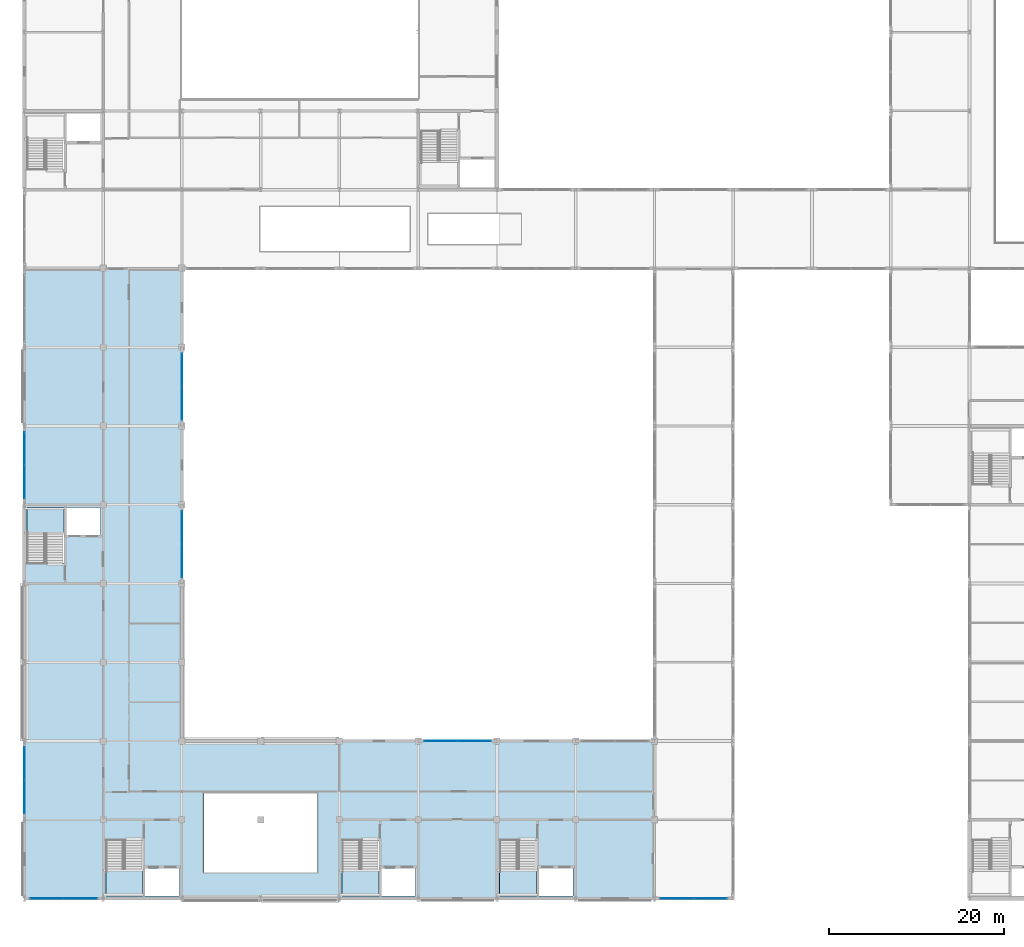
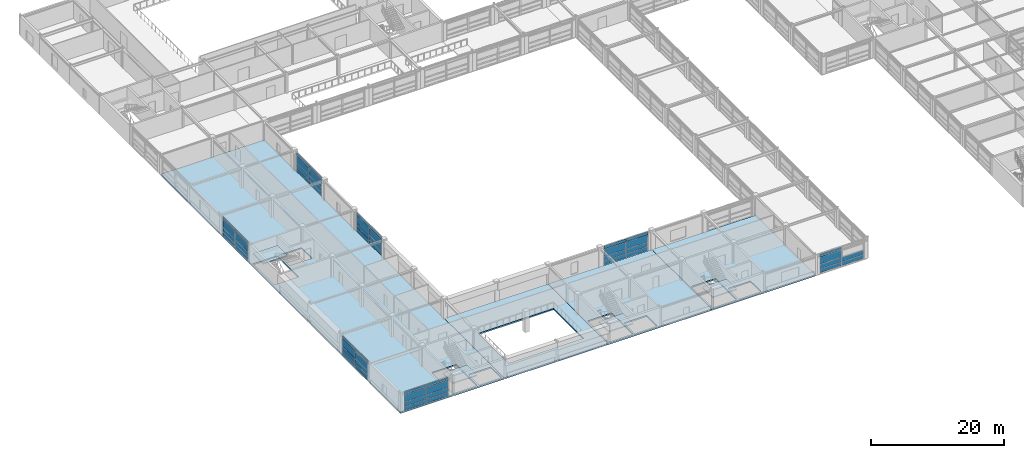
# One storey, part 50 of 79: 54 plates, 8 slabs, 7 elements without a shape of their own.
"""IFC4 building model written with IfcOpenShell, lengths in metres."""

from ifc_helpers import new_model, si_unit, direction, frame, origin, origin_2d, place, context, subcontext, project, spatial, polyline, rectangle, outline, extrude, material, layer, layer_set, type_object, element, aggregate, save


model = new_model("IFC4")

# Units and contexts
model_context = context("Model", 3, precision=1e-05, world=origin(), true_north=direction((0.0, 1.0)))
body_context = subcontext(model_context, "Body", "Model", "MODEL_VIEW")
ifc_project = project(units=[si_unit("LENGTHUNIT", "METRE"), si_unit("AREAUNIT", "SQUARE_METRE"), si_unit("VOLUMEUNIT", "CUBIC_METRE"), si_unit("PLANEANGLEUNIT", "RADIAN"), si_unit("MASSUNIT", "GRAM", prefix="KILO")], contexts=[model_context])

# Site, building, storey
site_placement = place(None, origin())
site = spatial("IfcSite", under=ifc_project, at=site_placement, CompositionType="ELEMENT")
building_placement = place(site_placement, origin())
building = spatial("IfcBuilding", under=site, at=building_placement, Name="Palais des Congres Ocreval", CompositionType="ELEMENT")
storey_placement = place(building_placement, frame((0.0, 0.0, 4.320068359375)))
storey = spatial("IfcBuildingStorey", under=building, at=storey_placement, Name="L01", CompositionType="ELEMENT", Elevation=4.320068359375)

# Curtain wall, plates
ifc_material_1 = material(Name="Anodized bronze aluminium and low-E glass", Category="glass")
curtain_wall_type = type_object("IfcCurtainWallType", Name="Unitised Curtain Wall 7900x3660", PredefinedType="USERDEFINED", material=ifc_material_1)
curtain_wall_1_placement = place(storey_placement, origin())
curtain_wall_1 = element("IfcCurtainWall", 1, at=curtain_wall_1_placement, inside=storey, type_object=curtain_wall_type, Name="Unitised Curtain Wall CW02 L01", ObjectType="UNITISED CURTAIN WALL", PredefinedType="USERDEFINED")
ifc_material_2 = material(Name="Acoustic triple glazing", Category="glass")
ifc_layer_1 = layer(ifc_material_2, 0.0439453125)
ifc_layer_set_1 = layer_set([ifc_layer_1], Name="Acoustic Laminated Glazing Panel 44 (Acoustic triple glazing)")
plate_type_1 = type_object("IfcPlateType", Name="Acoustic Laminated Glazing Panel 44", PredefinedType="CURTAIN_PANEL", material=ifc_layer_set_1)
plate_1_placement = place(storey_placement, frame((0.0, 11.59375, 0.06005859375), z_axis=(0.0, 0.0, 1.0), x_axis=(0.0, 1.0, 0.0)))
plate_1 = element("IfcPlate", 2, at=plate_1_placement, type_object=plate_type_1, Name="Vision Glazing Panel VP02", PredefinedType="CURTAIN_PANEL", context=body_context, shape_type="SweptSolid", body=[
    extrude(rectangle(XDim=3.737548828125, YDim=0.0439453125, at=origin_2d()), origin(), (0.0, 0.0, 1.0), 0.68994140625),
])
plate_2_placement = place(storey_placement, frame((0.0, 11.59375, 0.81005859375), z_axis=(0.0, 0.0, 1.0), x_axis=(0.0, 1.0, 0.0)))
plate_2 = element("IfcPlate", 3, at=plate_2_placement, type_object=plate_type_1, Name="Vision Glazing Panel VP02", PredefinedType="CURTAIN_PANEL", context=body_context, shape_type="SweptSolid", body=[
    extrude(rectangle(XDim=3.737548828125, YDim=0.0439453125, at=origin_2d()), origin(), (0.0, 0.0, 1.0), 0.782470703125),
])
plate_3_placement = place(storey_placement, frame((0.0, 11.59375, 1.65234375), z_axis=(0.0, 0.0, 1.0), x_axis=(0.0, 1.0, 0.0)))
plate_3 = element("IfcPlate", 4, at=plate_3_placement, type_object=plate_type_1, Name="Vision Glazing Panel VP02", PredefinedType="CURTAIN_PANEL", context=body_context, shape_type="SweptSolid", body=[
    extrude(rectangle(XDim=3.737548828125, YDim=0.0439453125, at=origin_2d()), origin(), (0.0, 0.0, 1.0), 1.267578125),
])
plate_4_placement = place(storey_placement, frame((0.0, 15.40625, 0.06005859375), z_axis=(0.0, 0.0, 1.0), x_axis=(0.0, 1.0, 0.0)))
plate_4 = element("IfcPlate", 5, at=plate_4_placement, type_object=plate_type_1, Name="Vision Glazing Panel VP02", PredefinedType="CURTAIN_PANEL", context=body_context, shape_type="SweptSolid", body=[
    extrude(rectangle(XDim=3.737548828125, YDim=0.0439453125, at=origin_2d()), origin(), (0.0, 0.0, 1.0), 0.68994140625),
])
plate_5_placement = place(storey_placement, frame((0.0, 15.40625, 0.81005859375), z_axis=(0.0, 0.0, 1.0), x_axis=(0.0, 1.0, 0.0)))
plate_5 = element("IfcPlate", 6, at=plate_5_placement, type_object=plate_type_1, Name="Vision Glazing Panel VP02", PredefinedType="CURTAIN_PANEL", context=body_context, shape_type="SweptSolid", body=[
    extrude(rectangle(XDim=3.737548828125, YDim=0.0439453125, at=origin_2d()), origin(), (0.0, 0.0, 1.0), 0.782470703125),
])
plate_6_placement = place(storey_placement, frame((0.0, 15.40625, 1.65234375), z_axis=(0.0, 0.0, 1.0), x_axis=(0.0, 1.0, 0.0)))
plate_6 = element("IfcPlate", 7, at=plate_6_placement, type_object=plate_type_1, Name="Vision Glazing Panel VP02", PredefinedType="CURTAIN_PANEL", context=body_context, shape_type="SweptSolid", body=[
    extrude(rectangle(XDim=3.737548828125, YDim=0.0439453125, at=origin_2d()), origin(), (0.0, 0.0, 1.0), 1.267578125),
])

curtain_wall_2_placement = place(storey_placement, origin())
curtain_wall_2 = element("IfcCurtainWall", 8, at=curtain_wall_2_placement, inside=storey, type_object=curtain_wall_type, Name="Unitised Curtain Wall CW02 L01", ObjectType="UNITISED CURTAIN WALL", PredefinedType="USERDEFINED")
plate_7_placement = place(storey_placement, frame((18.0, 42.40625, 0.06005859375), z_axis=(0.0, 0.0, 1.0), x_axis=(0.0, -1.0, 0.0)))
plate_7 = element("IfcPlate", 9, at=plate_7_placement, type_object=plate_type_1, Name="Vision Glazing Panel VP02", PredefinedType="CURTAIN_PANEL", context=body_context, shape_type="SweptSolid", body=[
    extrude(rectangle(XDim=3.737548828125, YDim=0.0439453125, at=origin_2d()), origin(), (0.0, 0.0, 1.0), 0.68994140625),
])
plate_8_placement = place(storey_placement, frame((18.0, 42.40625, 0.81005859375), z_axis=(0.0, 0.0, 1.0), x_axis=(0.0, -1.0, 0.0)))
plate_8 = element("IfcPlate", 10, at=plate_8_placement, type_object=plate_type_1, Name="Vision Glazing Panel VP02", PredefinedType="CURTAIN_PANEL", context=body_context, shape_type="SweptSolid", body=[
    extrude(rectangle(XDim=3.737548828125, YDim=0.0439453125, at=origin_2d()), origin(), (0.0, 0.0, 1.0), 0.782470703125),
])
plate_9_placement = place(storey_placement, frame((18.0, 42.40625, 1.65234375), z_axis=(0.0, 0.0, 1.0), x_axis=(0.0, -1.0, 0.0)))
plate_9 = element("IfcPlate", 11, at=plate_9_placement, type_object=plate_type_1, Name="Vision Glazing Panel VP02", PredefinedType="CURTAIN_PANEL", context=body_context, shape_type="SweptSolid", body=[
    extrude(rectangle(XDim=3.737548828125, YDim=0.0439453125, at=origin_2d()), origin(), (0.0, 0.0, 1.0), 1.267578125),
])
plate_10_placement = place(storey_placement, frame((18.0, 38.59375, 0.06005859375), z_axis=(0.0, 0.0, 1.0), x_axis=(0.0, -1.0, 0.0)))
plate_10 = element("IfcPlate", 12, at=plate_10_placement, type_object=plate_type_1, Name="Vision Glazing Panel VP02", PredefinedType="CURTAIN_PANEL", context=body_context, shape_type="SweptSolid", body=[
    extrude(rectangle(XDim=3.737548828125, YDim=0.0439453125, at=origin_2d()), origin(), (0.0, 0.0, 1.0), 0.68994140625),
])
plate_11_placement = place(storey_placement, frame((18.0, 38.59375, 0.81005859375), z_axis=(0.0, 0.0, 1.0), x_axis=(0.0, -1.0, 0.0)))
plate_11 = element("IfcPlate", 13, at=plate_11_placement, type_object=plate_type_1, Name="Vision Glazing Panel VP02", PredefinedType="CURTAIN_PANEL", context=body_context, shape_type="SweptSolid", body=[
    extrude(rectangle(XDim=3.737548828125, YDim=0.0439453125, at=origin_2d()), origin(), (0.0, 0.0, 1.0), 0.782470703125),
])
plate_12_placement = place(storey_placement, frame((18.0, 38.59375, 1.65234375), z_axis=(0.0, 0.0, 1.0), x_axis=(0.0, -1.0, 0.0)))
plate_12 = element("IfcPlate", 14, at=plate_12_placement, type_object=plate_type_1, Name="Vision Glazing Panel VP02", PredefinedType="CURTAIN_PANEL", context=body_context, shape_type="SweptSolid", body=[
    extrude(rectangle(XDim=3.737548828125, YDim=0.0439453125, at=origin_2d()), origin(), (0.0, 0.0, 1.0), 1.267578125),
])

curtain_wall_3_placement = place(storey_placement, origin())
curtain_wall_3 = element("IfcCurtainWall", 15, at=curtain_wall_3_placement, inside=storey, type_object=curtain_wall_type, Name="Unitised Curtain Wall CW02 L01", ObjectType="UNITISED CURTAIN WALL", PredefinedType="USERDEFINED")
ifc_material_3 = material(Name="Anodized bronze aluminium", Category="aluminium")
ifc_layer_2 = layer(ifc_material_3, 0.06005859375)
ifc_layer_set_2 = layer_set([ifc_layer_2], Name="Anodized Bronze Spandrel Cassette 60 (Anodized bronze aluminium)")
plate_type_2 = type_object("IfcPlateType", Name="Anodized Bronze Spandrel Cassette 60", PredefinedType="SHEET", material=ifc_layer_set_2)
plate_13_placement = place(storey_placement, frame((6.40625, 0.0, 2.97998046875), z_axis=(0.0, 0.0, 1.0), x_axis=(-1.0, 0.0, 0.0)))
plate_13 = element("IfcPlate", 16, at=plate_13_placement, type_object=plate_type_2, Name="Spandrel Sheet SPN1", PredefinedType="SHEET", context=body_context, shape_type="SweptSolid", body=[
    extrude(rectangle(XDim=3.737548828125, YDim=0.06005859375, at=origin_2d()), origin(), (0.0, 0.0, 1.0), 0.56005859375),
])
plate_14_placement = place(storey_placement, frame((2.59375, 0.0, 2.97998046875), z_axis=(0.0, 0.0, 1.0), x_axis=(-1.0, 0.0, 0.0)))
plate_14 = element("IfcPlate", 17, at=plate_14_placement, type_object=plate_type_2, Name="Spandrel Sheet SPN1", PredefinedType="SHEET", context=body_context, shape_type="SweptSolid", body=[
    extrude(rectangle(XDim=3.737548828125, YDim=0.06005859375, at=origin_2d()), origin(), (0.0, 0.0, 1.0), 0.56005859375),
])

curtain_wall_4_placement = place(storey_placement, origin())
curtain_wall_4 = element("IfcCurtainWall", 18, at=curtain_wall_4_placement, inside=storey, type_object=curtain_wall_type, Name="Unitised Curtain Wall CW02 L01", ObjectType="UNITISED CURTAIN WALL", PredefinedType="USERDEFINED")
plate_15_placement = place(storey_placement, frame((0.0, 47.59375, 2.97998046875), z_axis=(0.0, 0.0, 1.0), x_axis=(0.0, 1.0, 0.0)))
plate_15 = element("IfcPlate", 19, at=plate_15_placement, type_object=plate_type_2, Name="Spandrel Sheet SPN1", PredefinedType="SHEET", context=body_context, shape_type="SweptSolid", body=[
    extrude(rectangle(XDim=3.737548828125, YDim=0.06005859375, at=origin_2d()), origin(), (0.0, 0.0, 1.0), 0.56005859375),
])
plate_16_placement = place(storey_placement, frame((0.0, 51.40625, 2.97998046875), z_axis=(0.0, 0.0, 1.0), x_axis=(0.0, 1.0, 0.0)))
plate_16 = element("IfcPlate", 20, at=plate_16_placement, type_object=plate_type_2, Name="Spandrel Sheet SPN1", PredefinedType="SHEET", context=body_context, shape_type="SweptSolid", body=[
    extrude(rectangle(XDim=3.737548828125, YDim=0.06005859375, at=origin_2d()), origin(), (0.0, 0.0, 1.0), 0.56005859375),
])

# Curtain wall, plate
curtain_wall_5_placement = place(storey_placement, origin())
curtain_wall_5 = element("IfcCurtainWall", 21, at=curtain_wall_5_placement, inside=storey, type_object=curtain_wall_type, Name="Unitised Curtain Wall CW02 L01", ObjectType="UNITISED CURTAIN WALL", PredefinedType="USERDEFINED")
plate_17_placement = place(storey_placement, frame((74.59375, 0.0, 2.969970703125), z_axis=(0.0, 0.0, 1.0), x_axis=(-1.0, 0.0, 0.0)))
plate_17 = element("IfcPlate", 22, at=plate_17_placement, type_object=plate_type_2, Name="Spandrel Sheet SPN1", PredefinedType="SHEET", context=body_context, shape_type="SweptSolid", body=[
    extrude(rectangle(XDim=3.737548828125, YDim=0.06005859375, at=origin_2d()), origin(), (0.0, 0.0, 1.0), 0.56005859375),
])

# Plate
plate_18_placement = place(storey_placement, frame((18.0, 42.40625, 2.97998046875), z_axis=(0.0, 0.0, 1.0), x_axis=(0.0, -1.0, 0.0)))
plate_18 = element("IfcPlate", 23, at=plate_18_placement, type_object=plate_type_2, Name="Spandrel Sheet SPN1", PredefinedType="SHEET", context=body_context, shape_type="SweptSolid", body=[
    extrude(rectangle(XDim=3.737548828125, YDim=0.06005859375, at=origin_2d()), origin(), (0.0, 0.0, 1.0), 0.56005859375),
])

plate_19_placement = place(storey_placement, frame((18.0, 38.59375, 2.97998046875), z_axis=(0.0, 0.0, 1.0), x_axis=(0.0, -1.0, 0.0)))
plate_19 = element("IfcPlate", 24, at=plate_19_placement, type_object=plate_type_2, Name="Spandrel Sheet SPN1", PredefinedType="SHEET", context=body_context, shape_type="SweptSolid", body=[
    extrude(rectangle(XDim=3.737548828125, YDim=0.06005859375, at=origin_2d()), origin(), (0.0, 0.0, 1.0), 0.56005859375),
])

aggregate(curtain_wall_2, [plate_7, plate_8, plate_9, plate_18, plate_10, plate_11, plate_12, plate_19])

# Slabs
ifc_material_4 = material(Name="Concrete C35/45", Category="concrete")
ifc_layer_3 = layer(ifc_material_4, 0.2548828125)
ifc_layer_set_3 = layer_set([ifc_layer_3], Name="Composite Floor Deck 255 Concrete C35/45")
slab_type_1 = type_object("IfcSlabType", Name="Composite Floor Deck 255 Concrete C35/45", PredefinedType="FLOOR", material=ifc_layer_set_3)
slab_1_placement = place(storey_placement, frame((0.0, 0.0, -0.255126953125)))
element("IfcSlab", 25, at=slab_1_placement, inside=storey, type_object=slab_type_1, Name="Floor Slab SL13 L01 V4-1", PredefinedType="FLOOR", context=body_context, shape_type="SweptSolid", body=[
    extrude(outline(polyline([(0.0, 0.0), (0.0, 18.0), (0.0, 72.0), (18.0, 72.0), (18.0, 18.0), (18.0, 0.0), (0.0, 0.0)]), holes=[polyline([(13.800048828125, 3.449951171875), (13.800048828125, 0.300048828125), (17.699951171875, 0.300048828125), (17.699951171875, 3.449951171875), (13.800048828125, 3.449951171875)]), polyline([(13.5, 6.64990234375), (9.300048828125, 6.64990234375), (9.300048828125, 0.300048828125), (13.5, 0.300048828125), (13.5, 6.64990234375)]), polyline([(4.5, 44.699951171875), (0.300048828125, 44.699951171875), (0.300048828125, 38.35009765625), (4.5, 38.35009765625), (4.5, 44.699951171875)]), polyline([(4.800048828125, 44.699951171875), (4.800048828125, 41.550048828125), (8.699951171875, 41.550048828125), (8.699951171875, 44.699951171875), (4.800048828125, 44.699951171875)])]), origin(), (0.0, 0.0, 1.0), 0.255126953125),
])
slab_2_placement = place(storey_placement, frame((0.0, 0.0, -0.255126953125)))
element("IfcSlab", 26, at=slab_2_placement, inside=storey, type_object=slab_type_1, Name="Floor Slab SL13 L01 V4-2", PredefinedType="FLOOR", context=body_context, shape_type="SweptSolid", body=[
    extrude(outline(polyline([(18.0, 0.0), (18.0, 18.0), (36.0, 18.0), (36.0, 0.0), (18.0, 0.0)]), holes=[polyline([(33.5, 12.0), (20.5, 12.0), (20.5, 3.0), (33.5, 3.0), (33.5, 12.0)])]), origin(), (0.0, 0.0, 1.0), 0.255126953125),
])
slab_3_placement = place(storey_placement, frame((0.0, 0.0, -0.255126953125)))
element("IfcSlab", 27, at=slab_3_placement, inside=storey, type_object=slab_type_1, Name="Floor Slab SL13 L01 V4-3", PredefinedType="FLOOR", context=body_context, shape_type="SweptSolid", body=[
    extrude(outline(polyline([(36.0, 0.0), (36.0, 18.0), (54.0, 18.0), (54.0, 0.0), (36.0, 0.0)]), holes=[polyline([(44.699951171875, 3.449951171875), (40.800048828125, 3.449951171875), (40.800048828125, 0.300048828125), (44.699951171875, 0.300048828125), (44.699951171875, 3.449951171875)]), polyline([(36.300048828125, 6.64990234375), (36.300048828125, 0.300048828125), (40.5, 0.300048828125), (40.5, 6.64990234375), (36.300048828125, 6.64990234375)])]), origin(), (0.0, 0.0, 1.0), 0.255126953125),
])
slab_4_placement = place(storey_placement, frame((0.0, 0.0, -0.255126953125)))
element("IfcSlab", 28, at=slab_4_placement, inside=storey, type_object=slab_type_1, Name="Floor Slab SL13 L01 V4-4", PredefinedType="FLOOR", context=body_context, shape_type="SweptSolid", body=[
    extrude(outline(polyline([(54.0, 0.0), (54.0, 18.0), (72.0, 18.0), (72.0, 0.0), (54.0, 0.0)]), holes=[polyline([(58.800048828125, 3.449951171875), (58.800048828125, 0.300048828125), (62.699951171875, 0.300048828125), (62.699951171875, 3.449951171875), (58.800048828125, 3.449951171875)]), polyline([(58.5, 6.64990234375), (54.300048828125, 6.64990234375), (54.300048828125, 0.300048828125), (58.5, 0.300048828125), (58.5, 6.64990234375)])]), origin(), (0.0, 0.0, 1.0), 0.255126953125),
])

# Plate
ifc_material_5 = material(Name="Low-E solar-control double glazing", Category="glass")
ifc_layer_4 = layer(ifc_material_5, 0.031982421875)
ifc_layer_set_4 = layer_set([ifc_layer_4], Name="Galleria Clear Vision Panel 32 (Low-E solar-control double glazing)")
plate_type_3 = type_object("IfcPlateType", Name="Galleria Clear Vision Panel 32", PredefinedType="CURTAIN_PANEL", material=ifc_layer_set_4)
plate_20_placement = place(storey_placement, frame((0.0, 47.59375, 0.06005859375), z_axis=(0.0, 0.0, 1.0), x_axis=(0.0, 1.0, 0.0)))
plate_20 = element("IfcPlate", 29, at=plate_20_placement, type_object=plate_type_3, Name="Vision Glazing Panel VP03", PredefinedType="CURTAIN_PANEL", context=body_context, shape_type="SweptSolid", body=[
    extrude(rectangle(XDim=3.737548828125, YDim=0.031982421875, at=origin_2d()), origin(), (0.0, 0.0, 1.0), 0.68994140625),
])

plate_21_placement = place(storey_placement, frame((0.0, 47.59375, 0.81005859375), z_axis=(0.0, 0.0, 1.0), x_axis=(0.0, 1.0, 0.0)))
plate_21 = element("IfcPlate", 30, at=plate_21_placement, type_object=plate_type_3, Name="Vision Glazing Panel VP03", PredefinedType="CURTAIN_PANEL", context=body_context, shape_type="SweptSolid", body=[
    extrude(rectangle(XDim=3.737548828125, YDim=0.031982421875, at=origin_2d()), origin(), (0.0, 0.0, 1.0), 0.782470703125),
])

plate_22_placement = place(storey_placement, frame((0.0, 47.59375, 1.65234375), z_axis=(0.0, 0.0, 1.0), x_axis=(0.0, 1.0, 0.0)))
plate_22 = element("IfcPlate", 31, at=plate_22_placement, type_object=plate_type_3, Name="Vision Glazing Panel VP03", PredefinedType="CURTAIN_PANEL", context=body_context, shape_type="SweptSolid", body=[
    extrude(rectangle(XDim=3.737548828125, YDim=0.031982421875, at=origin_2d()), origin(), (0.0, 0.0, 1.0), 1.267578125),
])

plate_23_placement = place(storey_placement, frame((0.0, 51.40625, 0.06005859375), z_axis=(0.0, 0.0, 1.0), x_axis=(0.0, 1.0, 0.0)))
plate_23 = element("IfcPlate", 32, at=plate_23_placement, type_object=plate_type_3, Name="Vision Glazing Panel VP03", PredefinedType="CURTAIN_PANEL", context=body_context, shape_type="SweptSolid", body=[
    extrude(rectangle(XDim=3.737548828125, YDim=0.031982421875, at=origin_2d()), origin(), (0.0, 0.0, 1.0), 0.68994140625),
])

plate_24_placement = place(storey_placement, frame((0.0, 51.40625, 0.81005859375), z_axis=(0.0, 0.0, 1.0), x_axis=(0.0, 1.0, 0.0)))
plate_24 = element("IfcPlate", 33, at=plate_24_placement, type_object=plate_type_3, Name="Vision Glazing Panel VP03", PredefinedType="CURTAIN_PANEL", context=body_context, shape_type="SweptSolid", body=[
    extrude(rectangle(XDim=3.737548828125, YDim=0.031982421875, at=origin_2d()), origin(), (0.0, 0.0, 1.0), 0.782470703125),
])

plate_25_placement = place(storey_placement, frame((0.0, 51.40625, 1.65234375), z_axis=(0.0, 0.0, 1.0), x_axis=(0.0, 1.0, 0.0)))
plate_25 = element("IfcPlate", 34, at=plate_25_placement, type_object=plate_type_3, Name="Vision Glazing Panel VP03", PredefinedType="CURTAIN_PANEL", context=body_context, shape_type="SweptSolid", body=[
    extrude(rectangle(XDim=3.737548828125, YDim=0.031982421875, at=origin_2d()), origin(), (0.0, 0.0, 1.0), 1.267578125),
])

aggregate(curtain_wall_4, [plate_20, plate_21, plate_22, plate_15, plate_23, plate_24, plate_25, plate_16])

plate_26_placement = place(storey_placement, frame((78.40625, 0.0, 0.06005859375), z_axis=(0.0, 0.0, 1.0), x_axis=(-1.0, 0.0, 0.0)))
plate_26 = element("IfcPlate", 35, at=plate_26_placement, type_object=plate_type_3, Name="Vision Glazing Panel VP03", PredefinedType="CURTAIN_PANEL", context=body_context, shape_type="SweptSolid", body=[
    extrude(rectangle(XDim=3.737548828125, YDim=0.031982421875, at=origin_2d()), origin(), (0.0, 0.0, 1.0), 0.68994140625),
])

plate_27_placement = place(storey_placement, frame((78.40625, 0.0, 0.81005859375), z_axis=(0.0, 0.0, 1.0), x_axis=(-1.0, 0.0, 0.0)))
plate_27 = element("IfcPlate", 36, at=plate_27_placement, type_object=plate_type_3, Name="Vision Glazing Panel VP03", PredefinedType="CURTAIN_PANEL", context=body_context, shape_type="SweptSolid", body=[
    extrude(rectangle(XDim=3.737548828125, YDim=0.031982421875, at=origin_2d()), origin(), (0.0, 0.0, 1.0), 0.777099609375),
])

plate_28_placement = place(storey_placement, frame((74.59375, 0.0, 0.06005859375), z_axis=(0.0, 0.0, 1.0), x_axis=(-1.0, 0.0, 0.0)))
plate_28 = element("IfcPlate", 37, at=plate_28_placement, type_object=plate_type_3, Name="Vision Glazing Panel VP03", PredefinedType="CURTAIN_PANEL", context=body_context, shape_type="SweptSolid", body=[
    extrude(rectangle(XDim=3.737548828125, YDim=0.031982421875, at=origin_2d()), origin(), (0.0, 0.0, 1.0), 0.68994140625),
])

plate_29_placement = place(storey_placement, frame((74.59375, 0.0, 0.81005859375), z_axis=(0.0, 0.0, 1.0), x_axis=(-1.0, 0.0, 0.0)))
plate_29 = element("IfcPlate", 38, at=plate_29_placement, type_object=plate_type_3, Name="Vision Glazing Panel VP03", PredefinedType="CURTAIN_PANEL", context=body_context, shape_type="SweptSolid", body=[
    extrude(rectangle(XDim=3.737548828125, YDim=0.031982421875, at=origin_2d()), origin(), (0.0, 0.0, 1.0), 0.777099609375),
])

plate_30_placement = place(storey_placement, frame((74.59375, 0.0, 1.64697265625), z_axis=(0.0, 0.0, 1.0), x_axis=(-1.0, 0.0, 0.0)))
plate_30 = element("IfcPlate", 39, at=plate_30_placement, type_object=plate_type_3, Name="Vision Glazing Panel VP03", PredefinedType="CURTAIN_PANEL", context=body_context, shape_type="SweptSolid", body=[
    extrude(rectangle(XDim=3.737548828125, YDim=0.031982421875, at=origin_2d()), origin(), (0.0, 0.0, 1.0), 1.262939453125),
])

aggregate(curtain_wall_5, [plate_26, plate_27, plate_28, plate_29, plate_30, plate_17])

# Curtain wall, plates
curtain_wall_6_placement = place(storey_placement, origin())
curtain_wall_6 = element("IfcCurtainWall", 40, at=curtain_wall_6_placement, inside=storey, type_object=curtain_wall_type, Name="Unitised Curtain Wall CW02 L01", ObjectType="UNITISED CURTAIN WALL", PredefinedType="USERDEFINED")
plate_31_placement = place(storey_placement, frame((47.59375, 18.0, 0.06005859375), z_axis=(0.0, 0.0, 1.0), x_axis=(1.0, 0.0, 0.0)))
plate_31 = element("IfcPlate", 41, at=plate_31_placement, type_object=plate_type_3, Name="Vision Glazing Panel VP03", PredefinedType="CURTAIN_PANEL", context=body_context, shape_type="SweptSolid", body=[
    extrude(rectangle(XDim=3.737548828125, YDim=0.031982421875, at=origin_2d()), origin(), (0.0, 0.0, 1.0), 0.68994140625),
])
plate_32_placement = place(storey_placement, frame((47.59375, 18.0, 0.81005859375), z_axis=(0.0, 0.0, 1.0), x_axis=(1.0, 0.0, 0.0)))
plate_32 = element("IfcPlate", 42, at=plate_32_placement, type_object=plate_type_3, Name="Vision Glazing Panel VP03", PredefinedType="CURTAIN_PANEL", context=body_context, shape_type="SweptSolid", body=[
    extrude(rectangle(XDim=3.737548828125, YDim=0.031982421875, at=origin_2d()), origin(), (0.0, 0.0, 1.0), 0.782470703125),
])
plate_33_placement = place(storey_placement, frame((47.59375, 18.0, 1.65234375), z_axis=(0.0, 0.0, 1.0), x_axis=(1.0, 0.0, 0.0)))
plate_33 = element("IfcPlate", 43, at=plate_33_placement, type_object=plate_type_3, Name="Vision Glazing Panel VP03", PredefinedType="CURTAIN_PANEL", context=body_context, shape_type="SweptSolid", body=[
    extrude(rectangle(XDim=3.737548828125, YDim=0.031982421875, at=origin_2d()), origin(), (0.0, 0.0, 1.0), 1.267578125),
])
plate_34_placement = place(storey_placement, frame((51.40625, 18.0, 0.06005859375), z_axis=(0.0, 0.0, 1.0), x_axis=(1.0, 0.0, 0.0)))
plate_34 = element("IfcPlate", 44, at=plate_34_placement, type_object=plate_type_3, Name="Vision Glazing Panel VP03", PredefinedType="CURTAIN_PANEL", context=body_context, shape_type="SweptSolid", body=[
    extrude(rectangle(XDim=3.737548828125, YDim=0.031982421875, at=origin_2d()), origin(), (0.0, 0.0, 1.0), 0.68994140625),
])
plate_35_placement = place(storey_placement, frame((51.40625, 18.0, 0.81005859375), z_axis=(0.0, 0.0, 1.0), x_axis=(1.0, 0.0, 0.0)))
plate_35 = element("IfcPlate", 45, at=plate_35_placement, type_object=plate_type_3, Name="Vision Glazing Panel VP03", PredefinedType="CURTAIN_PANEL", context=body_context, shape_type="SweptSolid", body=[
    extrude(rectangle(XDim=3.737548828125, YDim=0.031982421875, at=origin_2d()), origin(), (0.0, 0.0, 1.0), 0.782470703125),
])
plate_36_placement = place(storey_placement, frame((51.40625, 18.0, 1.65234375), z_axis=(0.0, 0.0, 1.0), x_axis=(1.0, 0.0, 0.0)))
plate_36 = element("IfcPlate", 46, at=plate_36_placement, type_object=plate_type_3, Name="Vision Glazing Panel VP03", PredefinedType="CURTAIN_PANEL", context=body_context, shape_type="SweptSolid", body=[
    extrude(rectangle(XDim=3.737548828125, YDim=0.031982421875, at=origin_2d()), origin(), (0.0, 0.0, 1.0), 1.267578125),
])

# Plate
ifc_layer_5 = layer(ifc_material_5, 0.035888671875)
ifc_layer_set_5 = layer_set([ifc_layer_5], Name="Low-E Vision Glazing Panel 36 (Low-E solar-control double glazing)")
plate_type_4 = type_object("IfcPlateType", Name="Low-E Vision Glazing Panel 36", PredefinedType="CURTAIN_PANEL", material=ifc_layer_set_5)
plate_37_placement = place(storey_placement, frame((6.40625, 0.0, 0.06005859375), z_axis=(0.0, 0.0, 1.0), x_axis=(-1.0, 0.0, 0.0)))
plate_37 = element("IfcPlate", 47, at=plate_37_placement, type_object=plate_type_4, Name="Vision Glazing Panel VP01", PredefinedType="CURTAIN_PANEL", context=body_context, shape_type="SweptSolid", body=[
    extrude(rectangle(XDim=3.737548828125, YDim=0.035888671875, at=origin_2d()), origin(), (0.0, 0.0, 1.0), 0.68994140625),
])

plate_38_placement = place(storey_placement, frame((6.40625, 0.0, 0.81005859375), z_axis=(0.0, 0.0, 1.0), x_axis=(-1.0, 0.0, 0.0)))
plate_38 = element("IfcPlate", 48, at=plate_38_placement, type_object=plate_type_4, Name="Vision Glazing Panel VP01", PredefinedType="CURTAIN_PANEL", context=body_context, shape_type="SweptSolid", body=[
    extrude(rectangle(XDim=3.737548828125, YDim=0.035888671875, at=origin_2d()), origin(), (0.0, 0.0, 1.0), 0.782470703125),
])

plate_39_placement = place(storey_placement, frame((6.40625, 0.0, 1.65234375), z_axis=(0.0, 0.0, 1.0), x_axis=(-1.0, 0.0, 0.0)))
plate_39 = element("IfcPlate", 49, at=plate_39_placement, type_object=plate_type_4, Name="Vision Glazing Panel VP01", PredefinedType="CURTAIN_PANEL", context=body_context, shape_type="SweptSolid", body=[
    extrude(rectangle(XDim=3.737548828125, YDim=0.035888671875, at=origin_2d()), origin(), (0.0, 0.0, 1.0), 1.267578125),
])

plate_40_placement = place(storey_placement, frame((2.59375, 0.0, 0.06005859375), z_axis=(0.0, 0.0, 1.0), x_axis=(-1.0, 0.0, 0.0)))
plate_40 = element("IfcPlate", 50, at=plate_40_placement, type_object=plate_type_4, Name="Vision Glazing Panel VP01", PredefinedType="CURTAIN_PANEL", context=body_context, shape_type="SweptSolid", body=[
    extrude(rectangle(XDim=3.737548828125, YDim=0.035888671875, at=origin_2d()), origin(), (0.0, 0.0, 1.0), 0.68994140625),
])

plate_41_placement = place(storey_placement, frame((2.59375, 0.0, 0.81005859375), z_axis=(0.0, 0.0, 1.0), x_axis=(-1.0, 0.0, 0.0)))
plate_41 = element("IfcPlate", 51, at=plate_41_placement, type_object=plate_type_4, Name="Vision Glazing Panel VP01", PredefinedType="CURTAIN_PANEL", context=body_context, shape_type="SweptSolid", body=[
    extrude(rectangle(XDim=3.737548828125, YDim=0.035888671875, at=origin_2d()), origin(), (0.0, 0.0, 1.0), 0.782470703125),
])

plate_42_placement = place(storey_placement, frame((2.59375, 0.0, 1.65234375), z_axis=(0.0, 0.0, 1.0), x_axis=(-1.0, 0.0, 0.0)))
plate_42 = element("IfcPlate", 52, at=plate_42_placement, type_object=plate_type_4, Name="Vision Glazing Panel VP01", PredefinedType="CURTAIN_PANEL", context=body_context, shape_type="SweptSolid", body=[
    extrude(rectangle(XDim=3.737548828125, YDim=0.035888671875, at=origin_2d()), origin(), (0.0, 0.0, 1.0), 1.267578125),
])

aggregate(curtain_wall_3, [plate_37, plate_38, plate_39, plate_13, plate_40, plate_41, plate_42, plate_14])

# Curtain wall, plates
curtain_wall_7_placement = place(storey_placement, origin())
curtain_wall_7 = element("IfcCurtainWall", 53, at=curtain_wall_7_placement, inside=storey, type_object=curtain_wall_type, Name="Unitised Curtain Wall CW02 L01", ObjectType="UNITISED CURTAIN WALL", PredefinedType="USERDEFINED")
plate_43_placement = place(storey_placement, frame((18.0, 60.40625, 0.06005859375), z_axis=(0.0, 0.0, 1.0), x_axis=(0.0, -1.0, 0.0)))
plate_43 = element("IfcPlate", 54, at=plate_43_placement, type_object=plate_type_4, Name="Vision Glazing Panel VP01", PredefinedType="CURTAIN_PANEL", context=body_context, shape_type="SweptSolid", body=[
    extrude(rectangle(XDim=3.737548828125, YDim=0.035888671875, at=origin_2d()), origin(), (0.0, 0.0, 1.0), 0.68994140625),
])
plate_44_placement = place(storey_placement, frame((18.0, 60.40625, 0.81005859375), z_axis=(0.0, 0.0, 1.0), x_axis=(0.0, -1.0, 0.0)))
plate_44 = element("IfcPlate", 55, at=plate_44_placement, type_object=plate_type_4, Name="Vision Glazing Panel VP01", PredefinedType="CURTAIN_PANEL", context=body_context, shape_type="SweptSolid", body=[
    extrude(rectangle(XDim=3.737548828125, YDim=0.035888671875, at=origin_2d()), origin(), (0.0, 0.0, 1.0), 0.782470703125),
])
plate_45_placement = place(storey_placement, frame((18.0, 60.40625, 1.65234375), z_axis=(0.0, 0.0, 1.0), x_axis=(0.0, -1.0, 0.0)))
plate_45 = element("IfcPlate", 56, at=plate_45_placement, type_object=plate_type_4, Name="Vision Glazing Panel VP01", PredefinedType="CURTAIN_PANEL", context=body_context, shape_type="SweptSolid", body=[
    extrude(rectangle(XDim=3.737548828125, YDim=0.035888671875, at=origin_2d()), origin(), (0.0, 0.0, 1.0), 1.267578125),
])
plate_46_placement = place(storey_placement, frame((18.0, 56.59375, 0.06005859375), z_axis=(0.0, 0.0, 1.0), x_axis=(0.0, -1.0, 0.0)))
plate_46 = element("IfcPlate", 57, at=plate_46_placement, type_object=plate_type_4, Name="Vision Glazing Panel VP01", PredefinedType="CURTAIN_PANEL", context=body_context, shape_type="SweptSolid", body=[
    extrude(rectangle(XDim=3.737548828125, YDim=0.035888671875, at=origin_2d()), origin(), (0.0, 0.0, 1.0), 0.68994140625),
])
plate_47_placement = place(storey_placement, frame((18.0, 56.59375, 0.81005859375), z_axis=(0.0, 0.0, 1.0), x_axis=(0.0, -1.0, 0.0)))
plate_47 = element("IfcPlate", 58, at=plate_47_placement, type_object=plate_type_4, Name="Vision Glazing Panel VP01", PredefinedType="CURTAIN_PANEL", context=body_context, shape_type="SweptSolid", body=[
    extrude(rectangle(XDim=3.737548828125, YDim=0.035888671875, at=origin_2d()), origin(), (0.0, 0.0, 1.0), 0.782470703125),
])
plate_48_placement = place(storey_placement, frame((18.0, 56.59375, 1.65234375), z_axis=(0.0, 0.0, 1.0), x_axis=(0.0, -1.0, 0.0)))
plate_48 = element("IfcPlate", 59, at=plate_48_placement, type_object=plate_type_4, Name="Vision Glazing Panel VP01", PredefinedType="CURTAIN_PANEL", context=body_context, shape_type="SweptSolid", body=[
    extrude(rectangle(XDim=3.737548828125, YDim=0.035888671875, at=origin_2d()), origin(), (0.0, 0.0, 1.0), 1.267578125),
])

# Slabs
ifc_material_6 = material(Name="Concrete C40/50", Category="concrete")
ifc_layer_6 = layer(ifc_material_6, 0.199951171875)
ifc_layer_set_6 = layer_set([ifc_layer_6], Name="Stair and Ramp Landing Slab 200 Concrete C40/50")
slab_type_2 = type_object("IfcSlabType", Name="Stair and Ramp Landing Slab 200 Concrete C40/50", PredefinedType="LANDING", material=ifc_layer_set_6)
slab_5_placement = place(storey_placement, frame((0.0, 0.0, 1.719970703125)))
element("IfcSlab", 60, at=slab_5_placement, inside=storey, type_object=slab_type_2, Name="Stair Half-Landing ST01 L01", PredefinedType="LANDING", context=body_context, shape_type="SweptSolid", body=[
    extrude(outline(polyline([(9.300048828125, 0.300048828125), (13.5, 0.300048828125), (13.5, 3.35009765625), (9.300048828125, 3.35009765625), (9.300048828125, 0.300048828125)])), origin(), (0.0, 0.0, 1.0), 0.199951171875),
])
slab_6_placement = place(storey_placement, frame((0.0, 0.0, 1.719970703125)))
element("IfcSlab", 61, at=slab_6_placement, inside=storey, type_object=slab_type_2, Name="Stair Half-Landing ST02 L01", PredefinedType="LANDING", context=body_context, shape_type="SweptSolid", body=[
    extrude(outline(polyline([(36.300048828125, 0.300048828125), (40.5, 0.300048828125), (40.5, 3.35009765625), (36.300048828125, 3.35009765625), (36.300048828125, 0.300048828125)])), origin(), (0.0, 0.0, 1.0), 0.199951171875),
])
slab_7_placement = place(storey_placement, frame((0.0, 0.0, 1.719970703125)))
element("IfcSlab", 62, at=slab_7_placement, inside=storey, type_object=slab_type_2, Name="Stair Half-Landing ST03 L01", PredefinedType="LANDING", context=body_context, shape_type="SweptSolid", body=[
    extrude(outline(polyline([(0.300048828125, 41.64990234375), (4.5, 41.64990234375), (4.5, 44.699951171875), (0.300048828125, 44.699951171875), (0.300048828125, 41.64990234375)])), origin(), (0.0, 0.0, 1.0), 0.199951171875),
])
slab_8_placement = place(storey_placement, frame((0.0, 0.0, 1.719970703125)))
element("IfcSlab", 63, at=slab_8_placement, inside=storey, type_object=slab_type_2, Name="Stair Half-Landing ST04 L01", PredefinedType="LANDING", context=body_context, shape_type="SweptSolid", body=[
    extrude(outline(polyline([(54.300048828125, 0.300048828125), (58.5, 0.300048828125), (58.5, 3.35009765625), (54.300048828125, 3.35009765625), (54.300048828125, 0.300048828125)])), origin(), (0.0, 0.0, 1.0), 0.199951171875),
])

# Plate
ifc_material_7 = material(Name="Terracotta ceramic spandrel", Category="masonry")
ifc_layer_7 = layer(ifc_material_7, 0.080078125)
ifc_layer_set_7 = layer_set([ifc_layer_7], Name="Terracotta Insulated Spandrel Sheet 80 (Terracotta ceramic spandrel)")
plate_type_5 = type_object("IfcPlateType", Name="Terracotta Insulated Spandrel Sheet 80", PredefinedType="SHEET", material=ifc_layer_set_7)
plate_49_placement = place(storey_placement, frame((0.0, 11.59375, 2.97998046875), z_axis=(0.0, 0.0, 1.0), x_axis=(0.0, 1.0, 0.0)))
plate_49 = element("IfcPlate", 64, at=plate_49_placement, type_object=plate_type_5, Name="Spandrel Sheet SPN2", PredefinedType="SHEET", context=body_context, shape_type="SweptSolid", body=[
    extrude(rectangle(XDim=3.737548828125, YDim=0.080078125, at=origin_2d()), origin(), (0.0, 0.0, 1.0), 0.56005859375),
])

plate_50_placement = place(storey_placement, frame((0.0, 15.40625, 2.97998046875), z_axis=(0.0, 0.0, 1.0), x_axis=(0.0, 1.0, 0.0)))
plate_50 = element("IfcPlate", 65, at=plate_50_placement, type_object=plate_type_5, Name="Spandrel Sheet SPN2", PredefinedType="SHEET", context=body_context, shape_type="SweptSolid", body=[
    extrude(rectangle(XDim=3.737548828125, YDim=0.080078125, at=origin_2d()), origin(), (0.0, 0.0, 1.0), 0.56005859375),
])

aggregate(curtain_wall_1, [plate_1, plate_2, plate_3, plate_49, plate_4, plate_5, plate_6, plate_50])

plate_51_placement = place(storey_placement, frame((18.0, 60.40625, 2.97998046875), z_axis=(0.0, 0.0, 1.0), x_axis=(0.0, -1.0, 0.0)))
plate_51 = element("IfcPlate", 66, at=plate_51_placement, type_object=plate_type_5, Name="Spandrel Sheet SPN2", PredefinedType="SHEET", context=body_context, shape_type="SweptSolid", body=[
    extrude(rectangle(XDim=3.737548828125, YDim=0.080078125, at=origin_2d()), origin(), (0.0, 0.0, 1.0), 0.56005859375),
])

plate_52_placement = place(storey_placement, frame((18.0, 56.59375, 2.97998046875), z_axis=(0.0, 0.0, 1.0), x_axis=(0.0, -1.0, 0.0)))
plate_52 = element("IfcPlate", 67, at=plate_52_placement, type_object=plate_type_5, Name="Spandrel Sheet SPN2", PredefinedType="SHEET", context=body_context, shape_type="SweptSolid", body=[
    extrude(rectangle(XDim=3.737548828125, YDim=0.080078125, at=origin_2d()), origin(), (0.0, 0.0, 1.0), 0.56005859375),
])

aggregate(curtain_wall_7, [plate_43, plate_44, plate_45, plate_51, plate_46, plate_47, plate_48, plate_52])

plate_53_placement = place(storey_placement, frame((47.59375, 18.0, 2.97998046875), z_axis=(0.0, 0.0, 1.0), x_axis=(1.0, 0.0, 0.0)))
plate_53 = element("IfcPlate", 68, at=plate_53_placement, type_object=plate_type_5, Name="Spandrel Sheet SPN2", PredefinedType="SHEET", context=body_context, shape_type="SweptSolid", body=[
    extrude(rectangle(XDim=3.737548828125, YDim=0.080078125, at=origin_2d()), origin(), (0.0, 0.0, 1.0), 0.56005859375),
])

plate_54_placement = place(storey_placement, frame((51.40625, 18.0, 2.97998046875), z_axis=(0.0, 0.0, 1.0), x_axis=(1.0, 0.0, 0.0)))
plate_54 = element("IfcPlate", 69, at=plate_54_placement, type_object=plate_type_5, Name="Spandrel Sheet SPN2", PredefinedType="SHEET", context=body_context, shape_type="SweptSolid", body=[
    extrude(rectangle(XDim=3.737548828125, YDim=0.080078125, at=origin_2d()), origin(), (0.0, 0.0, 1.0), 0.56005859375),
])

aggregate(curtain_wall_6, [plate_31, plate_32, plate_33, plate_53, plate_34, plate_35, plate_36, plate_54])

save(model, "model.ifc")
